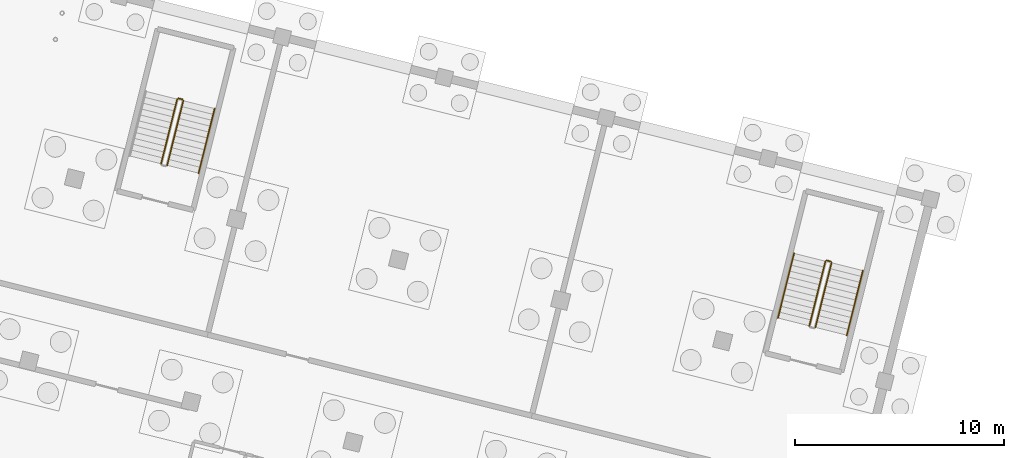
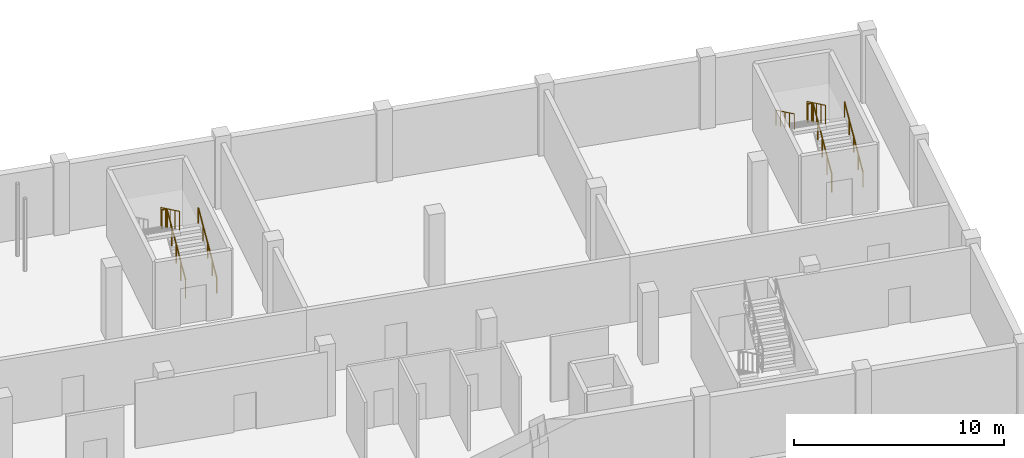
# One storey, part 35 of 36: 9 railings.
"""IFC4 building model written with IfcOpenShell, lengths in metres."""

import ifcopenshell
import ifcopenshell.guid

model = None  # the IFC model being written
_history = None  # IfcOwnerHistory: only IFC2X3 demands one
_inside = {}  # id of a spatial element -> (the spatial element, [elements in it])
_under = {}  # id of a project, library or spatial element -> (it, [spatial elements below it])
_declared = {}  # id of a project -> (the project, [libraries it declares])
_typed = {}  # id of a type object -> (the type object, [elements of that type])
_made_of = {}  # id of a material, layer set ... -> (it, [elements and type objects made of it])


def new_model(schema):
    """Start an empty IFC model of exactly this schema.

    Asked for "IFC4X3", IfcOpenShell would pick the latest addendum, in which some entities
    have other attributes; the version numbers below select the first issue.
    IFC2X3 requires an IfcOwnerHistory on every rooted entity: one is made here for all.
    """
    global model, _history
    if schema == "IFC4X3":
        model = ifcopenshell.file(schema_version=(4, 3, 0, 0))
    else:
        model = ifcopenshell.file(schema=schema)
    _inside.clear()
    _under.clear()
    _declared.clear()
    _typed.clear()
    _made_of.clear()
    _history = None
    if model.schema == "IFC2X3":
        org = make("IfcOrganization", Name="unknown")
        user = make(
            "IfcPersonAndOrganization",
            ThePerson=make("IfcPerson", FamilyName="unknown"),
            TheOrganization=org,
        )
        app = make(
            "IfcApplication",
            ApplicationDeveloper=org,
            Version="unknown",
            ApplicationFullName="unknown",
            ApplicationIdentifier="unknown",
        )
        _history = make(
            "IfcOwnerHistory",
            OwningUser=user,
            OwningApplication=app,
            ChangeAction="ADDED",
            CreationDate=0,
        )
    return model


def make(cls, **values):
    """One entity of the class cls with the attributes given. An attribute that is None is left unset."""
    return model.create_entity(
        cls, **{name: value for name, value in values.items() if value is not None}
    )


def rooted(cls, **values):
    """An entity with a GlobalId (a new one), such as an element, a storey or a relation."""
    return make(cls, GlobalId=ifcopenshell.guid.new(), OwnerHistory=_history, **values)


def si_unit(unit_type, name, prefix=None):
    """IfcSIUnit, for example si_unit("LENGTHUNIT", "METRE", prefix="MILLI")."""
    return make("IfcSIUnit", UnitType=unit_type, Prefix=prefix, Name=name)


def derived_unit(unit_type, elements):
    """IfcDerivedUnit: a product of units, each with its exponent."""
    return make(
        "IfcDerivedUnit",
        Elements=[
            make("IfcDerivedUnitElement", Unit=unit, Exponent=power)
            for unit, power in elements
        ],
        UnitType=unit_type,
    )


def assignment(units):
    """IfcUnitAssignment: the units of a project."""
    return None if units is None else make("IfcUnitAssignment", Units=units)


def point(xyz):
    """IfcCartesianPoint."""
    return None if xyz is None else make("IfcCartesianPoint", Coordinates=xyz)


def direction(xyz):
    """IfcDirection."""
    return None if xyz is None else make("IfcDirection", DirectionRatios=xyz)


def frame(location, z_axis=None, x_axis=None):
    """IfcAxis2Placement3D, a coordinate frame: its origin and axes. An axis left out is left unset."""
    return make(
        "IfcAxis2Placement3D",
        Location=point(location),
        Axis=direction(z_axis),
        RefDirection=direction(x_axis),
    )


def frame_2d(location, x_axis=None):
    """IfcAxis2Placement2D, a coordinate frame in the plane: its origin and x axis."""
    return make(
        "IfcAxis2Placement2D", Location=point(location), RefDirection=direction(x_axis)
    )


def origin():
    """The frame at (0, 0, 0) with its axes left unset."""
    return frame((0.0, 0.0, 0.0))


def origin_2d():
    """The frame at (0, 0) in the plane with its x axis left unset."""
    return frame_2d((0.0, 0.0))


def place(relative_to, where):
    """IfcLocalPlacement: puts the frame where relative to a parent placement (None: the world)."""
    return make(
        "IfcLocalPlacement", PlacementRelTo=relative_to, RelativePlacement=where
    )


def context(
    kind, dimensions, precision=None, world=None, true_north=None, identifier=None
):
    """IfcGeometricRepresentationContext, for example the 3D "Model" context."""
    return make(
        "IfcGeometricRepresentationContext",
        ContextIdentifier=identifier,
        ContextType=kind,
        CoordinateSpaceDimension=dimensions,
        Precision=precision,
        WorldCoordinateSystem=world,
        TrueNorth=true_north,
    )


def subcontext(parent, identifier, kind, view, scale=None):
    """IfcGeometricRepresentationSubContext, for example "Body" below "Model"."""
    return make(
        "IfcGeometricRepresentationSubContext",
        ContextIdentifier=identifier,
        ContextType=kind,
        ParentContext=parent,
        TargetScale=scale,
        TargetView=view,
    )


def project(units=None, contexts=None):
    """IfcProject with its units and contexts."""
    return rooted(
        "IfcProject",
        Name="project",
        RepresentationContexts=contexts,
        UnitsInContext=assignment(units),
    )


def spatial(cls, under=None, at=None, **own):
    """A site, building, storey or space (cls), placed at a placement, below another one or the project."""
    s = rooted(cls, ObjectPlacement=at, **own)
    if under is not None:
        _under.setdefault(under.id(), (under, []))[1].append(s)
    return s


def profile(cls, at=None, kind="AREA", **sizes):
    """A parametric profile (cls). Its sizes go by their IFC names, for example OverallWidth=200.0."""
    return make(cls, ProfileType=kind, Position=at, **sizes)


def circle(**sizes):
    """IfcCircleProfileDef."""
    return profile("IfcCircleProfileDef", **sizes)


def extrude(swept, where, along, depth):
    """IfcExtrudedAreaSolid: the profile swept, set in the frame where, extruded along a direction by depth."""
    return make(
        "IfcExtrudedAreaSolid",
        SweptArea=swept,
        Position=where,
        ExtrudedDirection=direction(along),
        Depth=depth,
    )


def shape(context_of_items, identifier, shape_type, items):
    """IfcShapeRepresentation: the items that make up one representation, for example the "Body"."""
    return make(
        "IfcShapeRepresentation",
        ContextOfItems=context_of_items,
        RepresentationIdentifier=identifier,
        RepresentationType=shape_type,
        Items=items,
    )


def material(Name=None, Category=None):
    """IfcMaterial."""
    return make("IfcMaterial", Name=Name, Category=Category)


def made_of(thing, what):
    """Note that an element or type object is made of a material, layer set ...; save() writes the relation."""
    if what is not None:
        _made_of.setdefault(what.id(), (what, []))[1].append(thing)
    return thing


def type_object(cls, material=None, **own):
    """A type object (cls), such as IfcWallType, which elements share."""
    return made_of(rooted(cls, **own), material)


def element(
    cls,
    number,
    at=None,
    inside=None,
    cuts=None,
    type_object=None,
    material=None,
    context=None,
    identifier="Body",
    shape_type=None,
    held_by="IfcProductDefinitionShape",
    body=None,
    shapes=None,
    **own,
):
    """One element of the class cls, such as IfcWall. Its Tag is "e" and its number.

    at: its placement. inside: the storey or other place that contains it. cuts: it is an
    opening in that element (IfcRelVoidsElement). A single representation is given by context,
    identifier, shape_type and body (its items); several are given by shapes. held_by: the class
    of the entity that holds the representations. save() writes the other relations.
    """
    e = rooted(cls, Tag="e%d" % number, ObjectPlacement=at, **own)
    if body is not None:
        shapes = [shape(context, identifier, shape_type, body)]
    if shapes is not None:
        e.Representation = make(held_by, Representations=shapes)
    if inside is not None:
        _inside.setdefault(inside.id(), (inside, []))[1].append(e)
    if cuts is not None:
        rooted(
            "IfcRelVoidsElement", RelatingBuildingElement=cuts, RelatedOpeningElement=e
        )
    if type_object is not None:
        _typed.setdefault(type_object.id(), (type_object, []))[1].append(e)
    return made_of(e, material)


def aggregate(whole, parts):
    """IfcRelAggregates: a whole, such as a stair, and the parts it consists of."""
    return rooted("IfcRelAggregates", RelatingObject=whole, RelatedObjects=parts)


def save(model, path):
    """Write the relations noted so far, then the file.

    IfcRelAggregates (storeys below a building ...), IfcRelContainedInSpatialStructure (elements
    in a storey), IfcRelDefinesByType, IfcRelAssociatesMaterial and IfcRelDeclares: one each for
    every whole, place, type object, material and project.
    """
    for whole, parts in _under.values():
        aggregate(whole, parts)
    for where, things in _inside.values():
        rooted(
            "IfcRelContainedInSpatialStructure",
            RelatedElements=things,
            RelatingStructure=where,
        )
    for kind, things in _typed.values():
        rooted("IfcRelDefinesByType", RelatedObjects=things, RelatingType=kind)
    for what, things in _made_of.values():
        rooted("IfcRelAssociatesMaterial", RelatedObjects=things, RelatingMaterial=what)
    for by, libraries in _declared.values():
        rooted("IfcRelDeclares", RelatingContext=by, RelatedDefinitions=libraries)
    model.write(path)


model = new_model("IFC4")

# Units and contexts
model_context = context("Model", 3, precision=1e-05, world=origin(), true_north=direction((0.0, 1.0)))
body_context = subcontext(model_context, "Body", "Model", "MODEL_VIEW")
ifc_project = project(units=[si_unit("LENGTHUNIT", "METRE"), si_unit("AREAUNIT", "SQUARE_METRE"), si_unit("VOLUMEUNIT", "CUBIC_METRE"), si_unit("PLANEANGLEUNIT", "RADIAN"), si_unit("MASSUNIT", "GRAM", prefix="KILO"), si_unit("THERMODYNAMICTEMPERATUREUNIT", "KELVIN"), si_unit("TIMEUNIT", "SECOND"), derived_unit("THERMALTRANSMITTANCEUNIT", [(si_unit("MASSUNIT", "GRAM", prefix="KILO"), 1), (si_unit("THERMODYNAMICTEMPERATUREUNIT", "KELVIN"), -1), (si_unit("TIMEUNIT", "SECOND"), -3)])], contexts=[model_context])

# Site, building, storey
site_placement = place(None, origin())
site = spatial("IfcSite", under=ifc_project, at=site_placement, CompositionType="ELEMENT")
building_placement = place(site_placement, origin())
building = spatial("IfcBuilding", under=site, at=building_placement, Name="Cambertide Market Hall", CompositionType="ELEMENT")
storey_placement = place(building_placement, frame((0.0, 0.0, -4.199951171875)))
storey = spatial("IfcBuildingStorey", under=building, at=storey_placement, Name="B1", CompositionType="ELEMENT", Elevation=-4.199951171875)

# Railings
ifc_material_1 = material(Name="Stainless Steel Grade 316", Category="metal")
railing_type_1 = type_object("IfcRailingType", Name="Stair Wall Handrail 900", PredefinedType="HANDRAIL", material=ifc_material_1)
railing_1_placement = place(storey_placement, frame((141.591064453125, 111.908447265625, 0.175048828125)))
element("IfcRailing", 1, at=railing_1_placement, inside=storey, type_object=railing_type_1, Name="Basement 1 ST-07B stair handrail 1", PredefinedType="HANDRAIL", context=body_context, shape_type="SweptSolid", body=[
    extrude(circle(Radius=0.02392578125, at=origin_2d()), frame((0.0, 0.0, 0.8759765625), z_axis=(0.207723833801, 0.830633223111, 0.516622935548), x_axis=(-0.970124489852, 0.242607654846, 0.0)), (0.0, 0.0, 1.0), 3.725830078125),
    extrude(circle(Radius=0.02099609375, at=origin_2d()), origin(), (0.0, 0.0, 1.0), 0.851806640625),
    extrude(circle(Radius=0.02099609375, at=origin_2d()), frame((0.193359375, 0.773681640625, 0.481201171875)), (0.0, 0.0, 1.0), 0.851806640625),
    extrude(circle(Radius=0.02099609375, at=origin_2d()), frame((0.386962890625, 1.54736328125, 0.96240234375)), (0.0, 0.0, 1.0), 0.851806640625),
    extrude(circle(Radius=0.02099609375, at=origin_2d()), frame((0.58056640625, 2.321044921875, 1.443603515625)), (0.0, 0.0, 1.0), 0.851806640625),
    extrude(circle(Radius=0.02099609375, at=origin_2d()), frame((0.77392578125, 3.0947265625, 1.9248046875)), (0.0, 0.0, 1.0), 0.851806640625),
])
railing_2_placement = place(storey_placement, frame((172.6357421875, 104.1474609375, 0.175048828125)))
element("IfcRailing", 2, at=railing_2_placement, inside=storey, type_object=railing_type_1, Name="Basement 1 ST-08B stair handrail 1", PredefinedType="HANDRAIL", context=body_context, shape_type="SweptSolid", body=[
    extrude(circle(Radius=0.02392578125, at=origin_2d()), frame((0.0, 0.0, 0.8759765625), z_axis=(0.207661131979, 0.830644527916, 0.516629966716), x_axis=(-0.970142500145, 0.242535625036, 0.0)), (0.0, 0.0, 1.0), 3.7255859375),
    extrude(circle(Radius=0.02099609375, at=origin_2d()), origin(), (0.0, 0.0, 1.0), 0.851806640625),
    extrude(circle(Radius=0.02099609375, at=origin_2d()), frame((0.193359375, 0.773681640625, 0.481201171875)), (0.0, 0.0, 1.0), 0.851806640625),
    extrude(circle(Radius=0.02099609375, at=origin_2d()), frame((0.38671875, 1.54736328125, 0.96240234375)), (0.0, 0.0, 1.0), 0.851806640625),
    extrude(circle(Radius=0.02099609375, at=origin_2d()), frame((0.580322265625, 2.321044921875, 1.443603515625)), (0.0, 0.0, 1.0), 0.851806640625),
    extrude(circle(Radius=0.02099609375, at=origin_2d()), frame((0.773681640625, 3.0947265625, 1.9248046875)), (0.0, 0.0, 1.0), 0.851806640625),
])
railing_3_placement = place(storey_placement, frame((170.11083984375, 108.066650390625, 2.27490234375)))
element("IfcRailing", 3, at=railing_3_placement, inside=storey, type_object=railing_type_1, Name="Basement 1 ST-08B stair handrail 2", PredefinedType="HANDRAIL", context=body_context, shape_type="SweptSolid", body=[
    extrude(circle(Radius=0.02392578125, at=origin_2d()), frame((0.0, 0.0, 0.8759765625), z_axis=(-0.207654101688, -0.830616406754, 0.516678003097), x_axis=(0.970142500145, -0.242535625036, 0.0)), (0.0, 0.0, 1.0), 3.725830078125),
    extrude(circle(Radius=0.02099609375, at=origin_2d()), origin(), (0.0, 0.0, 1.0), 0.851806640625),
    extrude(circle(Radius=0.02099609375, at=origin_2d()), frame((-0.193359375, -0.773681640625, 0.481201171875)), (0.0, 0.0, 1.0), 0.851806640625),
    extrude(circle(Radius=0.02099609375, at=origin_2d()), frame((-0.38671875, -1.54736328125, 0.96240234375)), (0.0, 0.0, 1.0), 0.851806640625),
    extrude(circle(Radius=0.02099609375, at=origin_2d()), frame((-0.580322265625, -2.321044921875, 1.44384765625)), (0.0, 0.0, 1.0), 0.851806640625),
    extrude(circle(Radius=0.02099609375, at=origin_2d()), frame((-0.773681640625, -3.0947265625, 1.925048828125)), (0.0, 0.0, 1.0), 0.851806640625),
])
ifc_material_2 = material(Name="Stainless Steel Grade 316", Category="metal")
railing_type_2 = type_object("IfcRailingType", Name="Stairwell Inner Guardrail 1100", PredefinedType="GUARDRAIL", material=ifc_material_2)
railing_4_placement = place(storey_placement, frame((140.08740234375, 112.284423828125, 0.175048828125)))
element("IfcRailing", 4, at=railing_4_placement, inside=storey, type_object=railing_type_2, Name="Basement 1 ST-07B stair guard 1", PredefinedType="GUARDRAIL", context=body_context, shape_type="SweptSolid", body=[
    extrude(circle(Radius=0.02392578125, at=origin_2d()), frame((0.0, 0.0, 1.076171875), z_axis=(0.207661131979, 0.830644527916, 0.516629966716), x_axis=(-0.970142500145, 0.242535625036, 0.0)), (0.0, 0.0, 1.0), 3.7255859375),
    extrude(circle(Radius=0.02099609375, at=origin_2d()), origin(), (0.0, 0.0, 1.0), 1.052001953125),
    extrude(circle(Radius=0.02099609375, at=origin_2d()), frame((0.193359375, 0.773681640625, 0.481201171875)), (0.0, 0.0, 1.0), 1.052001953125),
    extrude(circle(Radius=0.02099609375, at=origin_2d()), frame((0.38671875, 1.54736328125, 0.96240234375)), (0.0, 0.0, 1.0), 1.052001953125),
    extrude(circle(Radius=0.02099609375, at=origin_2d()), frame((0.580322265625, 2.321044921875, 1.443603515625)), (0.0, 0.0, 1.0), 1.052001953125),
    extrude(circle(Radius=0.02099609375, at=origin_2d()), frame((0.773681640625, 3.0947265625, 1.9248046875)), (0.0, 0.0, 1.0), 1.052001953125),
])
railing_5_placement = place(storey_placement, frame((140.82470703125, 115.439697265625, 2.099853515625)))
element("IfcRailing", 5, at=railing_5_placement, inside=storey, type_object=railing_type_2, Name="Basement 1 ST-07B stair guard 2", PredefinedType="GUARDRAIL", context=body_context, shape_type="SweptSolid", body=[
    extrude(circle(Radius=0.02392578125, at=origin_2d()), frame((0.0, 0.0, 1.076171875), z_axis=(-0.969998605015, 0.24311048161, 0.0), x_axis=(-0.24311048161, -0.969998605015, 0.0)), (0.0, 0.0, 1.0), 0.199951171875),
    extrude(circle(Radius=0.02099609375, at=origin_2d()), origin(), (0.0, 0.0, 1.0), 1.052001953125),
    extrude(circle(Radius=0.02099609375, at=origin_2d()), frame((-0.19384765625, 0.048583984375, 0.0)), (0.0, 0.0, 1.0), 1.052001953125),
])
railing_6_placement = place(storey_placement, frame((140.570068359375, 115.451904296875, 2.27490234375)))
element("IfcRailing", 6, at=railing_6_placement, inside=storey, type_object=railing_type_2, Name="Basement 1 ST-07B stair guard 3", PredefinedType="GUARDRAIL", context=body_context, shape_type="SweptSolid", body=[
    extrude(circle(Radius=0.02392578125, at=origin_2d()), frame((0.0, 0.0, 1.076171875), z_axis=(-0.207654101688, -0.830616406754, 0.516678003097), x_axis=(0.970142500145, -0.242535625036, 0.0)), (0.0, 0.0, 1.0), 3.725830078125),
    extrude(circle(Radius=0.02099609375, at=origin_2d()), origin(), (0.0, 0.0, 1.0), 1.052001953125),
    extrude(circle(Radius=0.02099609375, at=origin_2d()), frame((-0.193359375, -0.773681640625, 0.481201171875)), (0.0, 0.0, 1.0), 1.052001953125),
    extrude(circle(Radius=0.02099609375, at=origin_2d()), frame((-0.38671875, -1.54736328125, 0.96240234375)), (0.0, 0.0, 1.0), 1.052001953125),
    extrude(circle(Radius=0.02099609375, at=origin_2d()), frame((-0.580322265625, -2.321044921875, 1.44384765625)), (0.0, 0.0, 1.0), 1.052001953125),
    extrude(circle(Radius=0.02099609375, at=origin_2d()), frame((-0.773681640625, -3.0947265625, 1.925048828125)), (0.0, 0.0, 1.0), 1.052001953125),
])
railing_7_placement = place(storey_placement, frame((171.132080078125, 104.523193359375, 0.175048828125)))
element("IfcRailing", 7, at=railing_7_placement, inside=storey, type_object=railing_type_2, Name="Basement 1 ST-08B stair guard 1", PredefinedType="GUARDRAIL", context=body_context, shape_type="SweptSolid", body=[
    extrude(circle(Radius=0.02392578125, at=origin_2d()), frame((0.0, 0.0, 1.076171875), z_axis=(0.207649829204, 0.830664842165, 0.516601847095), x_axis=(-0.970147001632, 0.242517618378, 0.0)), (0.0, 0.0, 1.0), 3.725830078125),
    extrude(circle(Radius=0.02099609375, at=origin_2d()), origin(), (0.0, 0.0, 1.0), 1.052001953125),
    extrude(circle(Radius=0.02099609375, at=origin_2d()), frame((0.193359375, 0.773681640625, 0.481201171875)), (0.0, 0.0, 1.0), 1.052001953125),
    extrude(circle(Radius=0.02099609375, at=origin_2d()), frame((0.38671875, 1.54736328125, 0.96240234375)), (0.0, 0.0, 1.0), 1.052001953125),
    extrude(circle(Radius=0.02099609375, at=origin_2d()), frame((0.580322265625, 2.3212890625, 1.443603515625)), (0.0, 0.0, 1.0), 1.052001953125),
    extrude(circle(Radius=0.02099609375, at=origin_2d()), frame((0.773681640625, 3.094970703125, 1.9248046875)), (0.0, 0.0, 1.0), 1.052001953125),
])
railing_8_placement = place(storey_placement, frame((171.869384765625, 107.6787109375, 2.099853515625)))
element("IfcRailing", 8, at=railing_8_placement, inside=storey, type_object=railing_type_2, Name="Basement 1 ST-08B stair guard 2", PredefinedType="GUARDRAIL", context=body_context, shape_type="SweptSolid", body=[
    extrude(circle(Radius=0.02392578125, at=origin_2d()), frame((0.0, 0.0, 1.076171875), z_axis=(-0.970070680326, 0.242822723755, 0.0), x_axis=(-0.242822723755, -0.970070680326, 0.0)), (0.0, 0.0, 1.0), 0.2001953125),
    extrude(circle(Radius=0.02099609375, at=origin_2d()), origin(), (0.0, 0.0, 1.0), 1.052001953125),
    extrude(circle(Radius=0.02099609375, at=origin_2d()), frame((-0.194091796875, 0.048583984375, 0.0)), (0.0, 0.0, 1.0), 1.052001953125),
])
railing_9_placement = place(storey_placement, frame((171.61474609375, 107.69091796875, 2.27490234375)))
element("IfcRailing", 9, at=railing_9_placement, inside=storey, type_object=railing_type_2, Name="Basement 1 ST-08B stair guard 3", PredefinedType="GUARDRAIL", context=body_context, shape_type="SweptSolid", body=[
    extrude(circle(Radius=0.02392578125, at=origin_2d()), frame((0.0, 0.0, 1.076171875), z_axis=(-0.207642800061, -0.830636723376, 0.516649882766), x_axis=(0.970147001632, -0.242517618378, 0.0)), (0.0, 0.0, 1.0), 3.72607421875),
    extrude(circle(Radius=0.02099609375, at=origin_2d()), origin(), (0.0, 0.0, 1.0), 1.052001953125),
    extrude(circle(Radius=0.02099609375, at=origin_2d()), frame((-0.193359375, -0.773681640625, 0.481201171875)), (0.0, 0.0, 1.0), 1.052001953125),
    extrude(circle(Radius=0.02099609375, at=origin_2d()), frame((-0.38671875, -1.54736328125, 0.96240234375)), (0.0, 0.0, 1.0), 1.052001953125),
    extrude(circle(Radius=0.02099609375, at=origin_2d()), frame((-0.580322265625, -2.3212890625, 1.44384765625)), (0.0, 0.0, 1.0), 1.052001953125),
    extrude(circle(Radius=0.02099609375, at=origin_2d()), frame((-0.773681640625, -3.094970703125, 1.925048828125)), (0.0, 0.0, 1.0), 1.052001953125),
])

save(model, "model.ifc")
